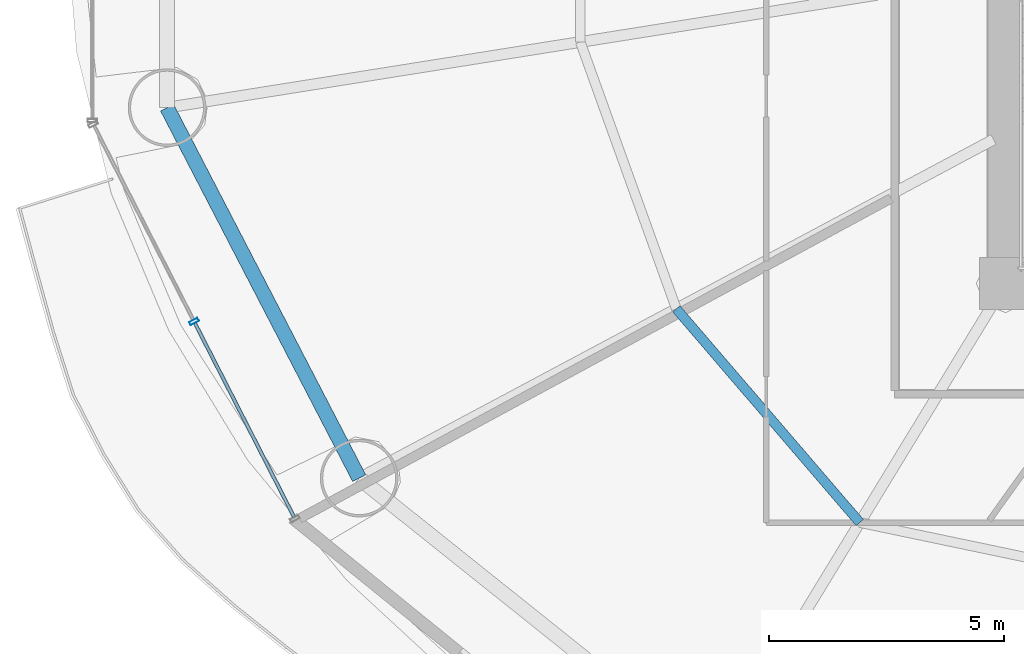
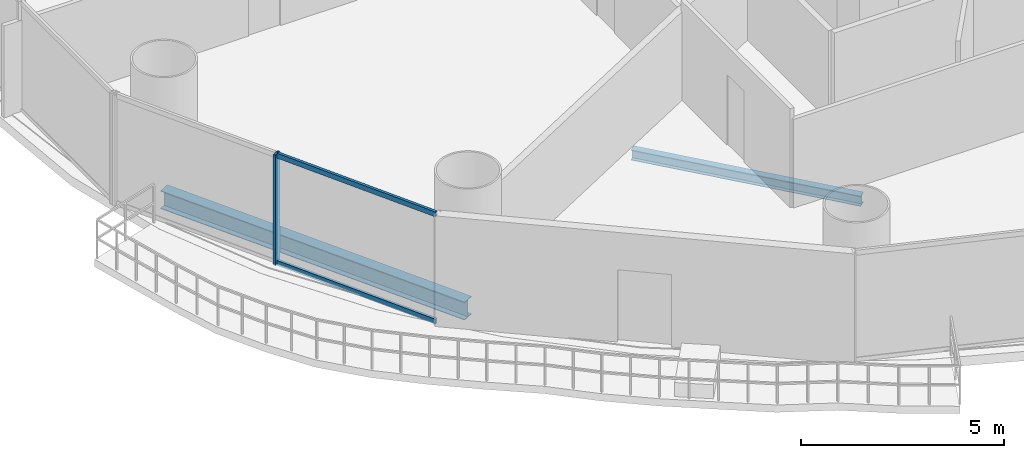
# One storey, part 3 of 30: 3 members, 2 beams, 1 element without a shape of its own.
"""IFC4 building model written with IfcOpenShell, lengths in metres."""

from ifc_helpers import new_model, si_unit, direction, frame, origin, origin_2d, place, context, subcontext, project, spatial, hollow_rectangle, i_section, extrude, source, transform, mapped, material, material_profile, profile_set, type_object, element, aggregate, save


model = new_model("IFC4")

# Units and contexts
model_context = context("Model", 3, precision=1e-05, world=origin(), true_north=direction((-0.2419218956, 0.970295726276)))
body_context = subcontext(model_context, "Body", "Model", "MODEL_VIEW")
ifc_project = project(units=[si_unit("LENGTHUNIT", "METRE"), si_unit("AREAUNIT", "SQUARE_METRE"), si_unit("VOLUMEUNIT", "CUBIC_METRE"), si_unit("PLANEANGLEUNIT", "RADIAN"), si_unit("MASSUNIT", "GRAM", prefix="KILO")], contexts=[model_context])

# Site, building, storey
site_placement = place(None, origin())
site = spatial("IfcSite", under=ifc_project, at=site_placement, CompositionType="ELEMENT")
building_placement = place(site_placement, origin())
building = spatial("IfcBuilding", under=site, at=building_placement, Name="Cobrevalo Terracotta Tower", CompositionType="ELEMENT")
storey_placement = place(building_placement, frame((0.0, 0.0, 60.0)))
storey = spatial("IfcBuildingStorey", under=building, at=storey_placement, Name="L15", CompositionType="ELEMENT", Elevation=60.0)

# Beams
ifc_material_1 = material(Name="Steel S355", Category="steel")
ifc_material_profile_1 = material_profile(ifc_material_1, i_section(OverallWidth=0.2041015625, OverallDepth=0.305908203125, WebThickness=0.008544921875, FlangeThickness=0.0146484375, at=origin_2d()), Name="W 310x67")
ifc_profile_set_1 = profile_set([ifc_material_profile_1], Name="Steel S355")
beam_type_1 = type_object("IfcBeamType", Name="Structural Joist W 310x67 (Steel S355)", PredefinedType="JOIST", material=ifc_profile_set_1)
beam_1_placement = place(storey_placement, frame((22.002197265625, 18.26025390625, -0.43310546875), z_axis=(0.651328404454, -0.758795960421, 0.0), x_axis=(0.758795960421, 0.651328404454, 0.0)))
element("IfcBeam", 1, at=beam_1_placement, inside=storey, type_object=beam_type_1, Name="L15 circumferential secondary floor joist 10", PredefinedType="JOIST", context=body_context, shape_type="SweptSolid", body=[
    extrude(i_section(OverallWidth=0.2041015625, OverallDepth=0.305908203125, WebThickness=0.008544921875, FlangeThickness=0.0146484375, at=origin_2d()), origin(), (0.0, 0.0, 1.0), 5.98828125),
])
ifc_material_profile_2 = material_profile(ifc_material_1, i_section(OverallWidth=0.31201171875, OverallDepth=0.54296875, WebThickness=0.0126953125, FlangeThickness=0.020263671875, at=origin_2d()), Name="W 530x150")
ifc_profile_set_2 = profile_set([ifc_material_profile_2], Name="Steel S355")
beam_type_2 = type_object("IfcBeamType", Name="Structural Spandrel W 530x150 (Steel S355)", PredefinedType="SPANDREL", material=ifc_profile_set_2)
beam_2_placement = place(storey_placement, frame((11.175537109375, 22.537353515625, -0.551513671875), z_axis=(0.460285838799, -0.88777077368, 0.0), x_axis=(0.88777077368, 0.460285838799, 0.0)))
element("IfcBeam", 2, at=beam_2_placement, inside=storey, type_object=beam_type_2, Name="L15 perimeter ring spandrel 09", PredefinedType="SPANDREL", context=body_context, shape_type="SweptSolid", body=[
    extrude(i_section(OverallWidth=0.31201171875, OverallDepth=0.54296875, WebThickness=0.0126953125, FlangeThickness=0.020263671875, at=origin_2d()), origin(), (0.0, 0.0, 1.0), 8.8720703125),
])

# Curtain wall, members
ifc_material_2 = material(Name="Anodized aluminium", Category="aluminium")
curtain_wall_type = type_object("IfcCurtainWallType", Name="Lower-tower unitised acoustic low-E curtain wall CW-U1", PredefinedType="NOTDEFINED", material=ifc_material_2)
curtain_wall_placement = place(storey_placement, origin())
curtain_wall = element("IfcCurtainWall", 3, at=curtain_wall_placement, inside=storey, type_object=curtain_wall_type, Name="L15 curtain wall CW-L15-S09", PredefinedType="NOTDEFINED")
ifc_material_profile_3 = material_profile(ifc_material_2, hollow_rectangle(XDim=0.074951171875, YDim=0.199951171875, WallThickness=0.0048828125, at=origin_2d()), Name="CWM 75x200")
ifc_profile_set_3 = profile_set([ifc_material_profile_3], Name="Anodized aluminium")
member_type_1 = type_object("IfcMemberType", Name="Lower/mid tower unitised mullion 75x200", PredefinedType="MULLION", material=ifc_profile_set_3)
shared_shape_1 = source(origin(), body_context, "Body", "SweptSolid", [
    extrude(hollow_rectangle(XDim=0.074951171875, YDim=0.199951171875, WallThickness=0.0048828125, at=origin_2d()), origin(), (0.0, 0.0, 1.0), 3.320068359375),
])
member_1_placement = place(storey_placement, frame((11.74951171875, 17.990966796875, 0.0), z_axis=(0.0, 0.0, 1.0), x_axis=(0.455234136597, -0.890371765543, 0.0)))
member_1 = element("IfcMember", 4, at=member_1_placement, type_object=member_type_1, Name="CW-L15-S09 vertical mullion 02", PredefinedType="MULLION", context=body_context, shape_type="MappedRepresentation", body=[
    mapped(shared_shape_1, transform((0.0, 0.0, 0.0), scale=1.0)),
])
ifc_material_profile_4 = material_profile(ifc_material_2, hollow_rectangle(XDim=0.074951171875, YDim=0.14990234375, WallThickness=0.00439453125, at=origin_2d()), Name="CWT 75x150")
ifc_profile_set_4 = profile_set([ifc_material_profile_4], Name="Anodized aluminium")
member_type_2 = type_object("IfcMemberType", Name="Tower unitised aluminium transom 75x150", PredefinedType="USERDEFINED", material=ifc_profile_set_4)
shared_shape_2 = source(origin(), body_context, "Body", "SweptSolid", [
    extrude(hollow_rectangle(XDim=0.074951171875, YDim=0.14990234375, WallThickness=0.00439453125, at=origin_2d()), origin(), (0.0, 0.0, 1.0), 4.631103515625),
])
member_2_placement = place(storey_placement, frame((11.767578125, 17.955322265625, 0.050048828125), z_axis=(0.455271744945, -0.89035253594, 0.0), x_axis=(0.89035253594, 0.455271744945, 0.0)))
member_2 = element("IfcMember", 5, at=member_2_placement, type_object=member_type_2, Name="CW-L15-S09 transom B02-T1", ObjectType="TRANSOM", PredefinedType="USERDEFINED", context=body_context, shape_type="MappedRepresentation", body=[
    mapped(shared_shape_2, transform((0.0, 0.0, 0.0), scale=1.0)),
])
member_3_placement = place(storey_placement, frame((11.767578125, 17.955322265625, 3.27001953125), z_axis=(0.455271744945, -0.89035253594, 0.0), x_axis=(0.89035253594, 0.455271744945, 0.0)))
member_3 = element("IfcMember", 6, at=member_3_placement, type_object=member_type_2, Name="CW-L15-S09 transom B02-T2", ObjectType="TRANSOM", PredefinedType="USERDEFINED", context=body_context, shape_type="MappedRepresentation", body=[
    mapped(shared_shape_2, transform((0.0, 0.0, 0.0), scale=1.0)),
])
aggregate(curtain_wall, [member_1, member_2, member_3])

save(model, "model.ifc")
